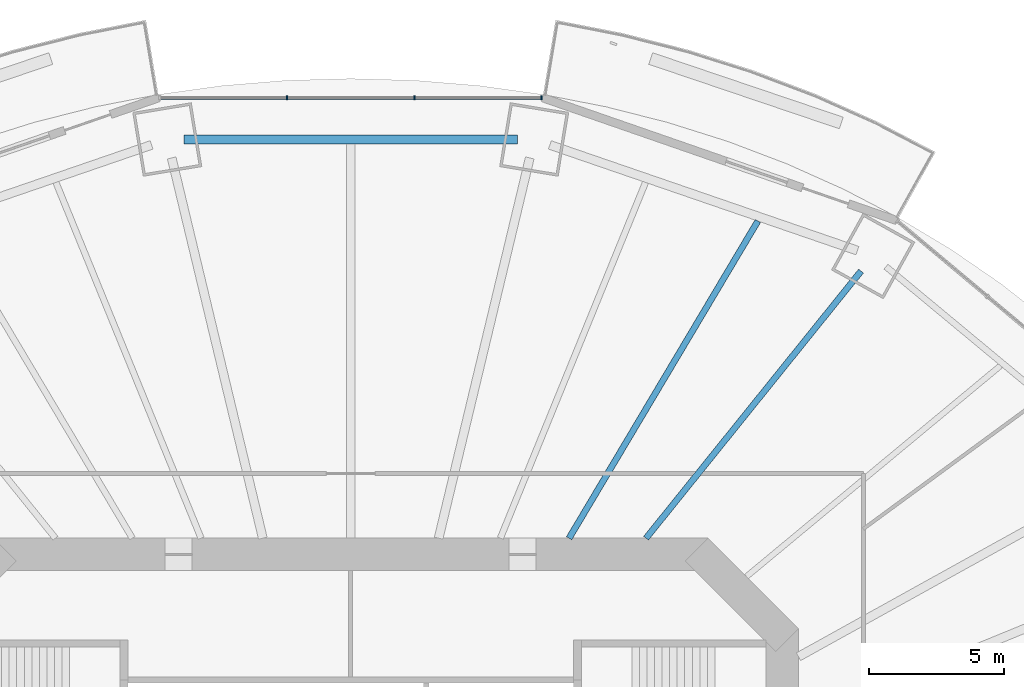
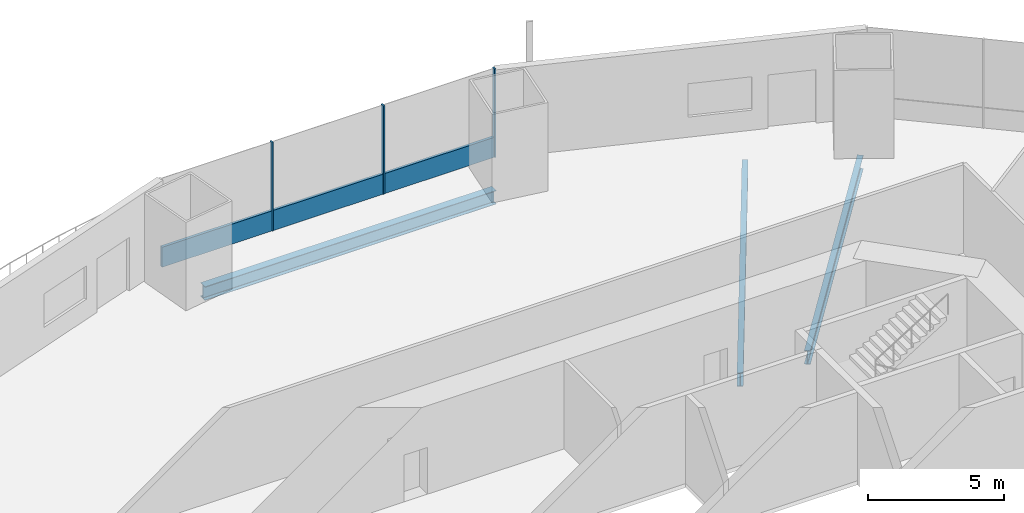
# One storey, part 9 of 23: 4 members, 3 beams, 1 element without a shape of its own.
"""IFC4 building model written with IfcOpenShell, lengths in metres."""

from ifc_helpers import new_model, si_unit, direction, frame, origin, origin_2d, place, context, subcontext, project, spatial, rectangle, i_section, extrude, material, material_profile, profile_set, type_object, element, aggregate, save


model = new_model("IFC4")

# Units and contexts
model_context = context("Model", 3, precision=1e-05, world=origin(), true_north=direction((0.0, 1.0)))
body_context = subcontext(model_context, "Body", "Model", "MODEL_VIEW")
ifc_project = project(units=[si_unit("LENGTHUNIT", "METRE"), si_unit("AREAUNIT", "SQUARE_METRE"), si_unit("VOLUMEUNIT", "CUBIC_METRE"), si_unit("PLANEANGLEUNIT", "RADIAN"), si_unit("MASSUNIT", "GRAM", prefix="KILO")], contexts=[model_context])

# Site, building, storey
site_placement = place(None, origin())
site = spatial("IfcSite", under=ifc_project, at=site_placement, CompositionType="ELEMENT")
building_placement = place(site_placement, origin())
building = spatial("IfcBuilding", under=site, at=building_placement, Name="Marenthal Gate Tower", CompositionType="ELEMENT")
storey_placement = place(building_placement, frame((0.0, 0.0, 49.60009765625)))
storey = spatial("IfcBuildingStorey", under=building, at=storey_placement, Name="L08", CompositionType="ELEMENT", Elevation=49.60009765625)

# Curtain wall, members
ifc_material_1 = material(Name="Aluminium and glass", Category="aluminium")
curtain_wall_type = type_object("IfcCurtainWallType", Name="Curtain wall typical low", PredefinedType="NOTDEFINED", material=ifc_material_1)
curtain_wall_placement = place(storey_placement, origin())
curtain_wall = element("IfcCurtainWall", 1, at=curtain_wall_placement, inside=storey, type_object=curtain_wall_type, Name="Curtain wall L08 bay 4", PredefinedType="NOTDEFINED")
ifc_material_2 = material(Name="Aluminium", Category="aluminium")
ifc_material_profile_1 = material_profile(ifc_material_2, rectangle(XDim=0.159912109375, YDim=0.06005859375, at=origin_2d()), Name="60x160 aluminium mullion")
ifc_profile_set_1 = profile_set([ifc_material_profile_1], Name="Aluminium")
member_type_1 = type_object("IfcMemberType", Name="Mullion 60x160 typical low", PredefinedType="MULLION", material=ifc_profile_set_1)
member_1_placement = place(storey_placement, frame((7.07861328125, 29.9287109375, 0.0), z_axis=(0.0, 0.0, 1.0), x_axis=(0.0, -1.0, 0.0)))
member_1 = element("IfcMember", 2, at=member_1_placement, type_object=member_type_1, Name="Mullion L08 bay 4.1", PredefinedType="MULLION", context=body_context, shape_type="SweptSolid", body=[
    extrude(rectangle(XDim=0.159912109375, YDim=0.06005859375, at=origin_2d()), origin(), (0.0, 0.0, 1.0), 3.969970703125),
])
member_2_placement = place(storey_placement, frame((2.359619140625, 29.9287109375, 0.0), z_axis=(0.0, 0.0, 1.0), x_axis=(0.0, -1.0, 0.0)))
member_2 = element("IfcMember", 3, at=member_2_placement, type_object=member_type_1, Name="Mullion L08 bay 4.2", PredefinedType="MULLION", context=body_context, shape_type="SweptSolid", body=[
    extrude(rectangle(XDim=0.159912109375, YDim=0.06005859375, at=origin_2d()), origin(), (0.0, 0.0, 1.0), 3.969970703125),
])
member_3_placement = place(storey_placement, frame((-2.359619140625, 29.9287109375, 0.0), z_axis=(0.0, 0.0, 1.0), x_axis=(0.0, -1.0, 0.0)))
member_3 = element("IfcMember", 4, at=member_3_placement, type_object=member_type_1, Name="Mullion L08 bay 4.3", PredefinedType="MULLION", context=body_context, shape_type="SweptSolid", body=[
    extrude(rectangle(XDim=0.159912109375, YDim=0.06005859375, at=origin_2d()), origin(), (0.0, 0.0, 1.0), 3.969970703125),
])
ifc_material_3 = material(Name="Aluminium", Category="aluminium")
ifc_material_profile_2 = material_profile(ifc_material_3, rectangle(XDim=0.1201171875, YDim=0.89990234375, at=origin_2d()), Name="120x900 aluminium transom")
ifc_profile_set_2 = profile_set([ifc_material_profile_2], Name="Aluminium")
member_type_2 = type_object("IfcMemberType", Name="Transom 120x900 typical low", PredefinedType="USERDEFINED", material=ifc_profile_set_2)
member_4_placement = place(storey_placement, frame((7.048583984375, 29.9287109375, 0.449951171875), z_axis=(-1.0, 0.0, 0.0), x_axis=(0.0, -1.0, 0.0)))
member_4 = element("IfcMember", 5, at=member_4_placement, type_object=member_type_2, Name="Transom L08 bay 4", ObjectType="TRANSOM", PredefinedType="USERDEFINED", context=body_context, shape_type="SweptSolid", body=[
    extrude(rectangle(XDim=0.1201171875, YDim=0.89990234375, at=origin_2d()), origin(), (0.0, 0.0, 1.0), 14.09716796875),
])
aggregate(curtain_wall, [member_1, member_2, member_3, member_4])

# Beams
ifc_material_4 = material(Name="Steel S355", Category="steel")
ifc_material_profile_3 = material_profile(ifc_material_4, i_section(OverallWidth=0.22900390625, OverallDepth=0.612060546875, WebThickness=0.011962890625, FlangeThickness=0.01953125, FilletRadius=0.0126953125, at=origin_2d()), Name="W610X125")
ifc_profile_set_3 = profile_set([ifc_material_profile_3], Name="Steel S355")
beam_type_1 = type_object("IfcBeamType", Name="W610X125 beam", PredefinedType="BEAM", material=ifc_profile_set_3)
beam_1_placement = place(storey_placement, frame((18.916015625, 23.49951171875, -0.486083984375), z_axis=(-0.627042105716, -0.778985364214, 0.0), x_axis=(0.778985364214, -0.627042105716, 0.0)))
element("IfcBeam", 6, at=beam_1_placement, inside=storey, type_object=beam_type_1, Name="BM-L08-03", PredefinedType="BEAM", context=body_context, shape_type="SweptSolid", body=[
    extrude(i_section(OverallWidth=0.22900390625, OverallDepth=0.612060546875, WebThickness=0.011962890625, FlangeThickness=0.01953125, FilletRadius=0.0126953125, at=origin_2d()), origin(), (0.0, 0.0, 1.0), 12.7080078125),
])
beam_2_placement = place(storey_placement, frame((15.0927734375, 25.356201171875, -0.486083984375), z_axis=(-0.511477271469, -0.859296805982, 0.0), x_axis=(0.859296805982, -0.511477271469, 0.0)))
element("IfcBeam", 7, at=beam_2_placement, inside=storey, type_object=beam_type_1, Name="BM-L08-20", PredefinedType="BEAM", context=body_context, shape_type="SweptSolid", body=[
    extrude(i_section(OverallWidth=0.22900390625, OverallDepth=0.612060546875, WebThickness=0.011962890625, FlangeThickness=0.01953125, FilletRadius=0.0126953125, at=origin_2d()), origin(), (0.0, 0.0, 1.0), 13.68115234375),
])
ifc_material_5 = material(Name="Steel S355", Category="steel")
ifc_material_profile_4 = material_profile(ifc_material_5, i_section(OverallWidth=0.324951171875, OverallDepth=0.612060546875, WebThickness=0.0126953125, FlangeThickness=0.01904296875, FilletRadius=0.0126953125, at=origin_2d()), Name="W610X155")
ifc_profile_set_4 = profile_set([ifc_material_profile_4], Name="Steel S355")
beam_type_2 = type_object("IfcBeamType", Name="W610X155 beam", PredefinedType="BEAM", material=ifc_profile_set_4)
beam_3_placement = place(storey_placement, frame((6.185546875, 28.37890625, -0.486083984375), z_axis=(-1.0, 0.0, 0.0), x_axis=(0.0, -1.0, 0.0)))
element("IfcBeam", 8, at=beam_3_placement, inside=storey, type_object=beam_type_2, Name="BM-L08-44", PredefinedType="BEAM", context=body_context, shape_type="SweptSolid", body=[
    extrude(i_section(OverallWidth=0.324951171875, OverallDepth=0.612060546875, WebThickness=0.0126953125, FlangeThickness=0.01904296875, FilletRadius=0.0126953125, at=origin_2d()), origin(), (0.0, 0.0, 1.0), 12.37109375),
])

save(model, "model.ifc")
